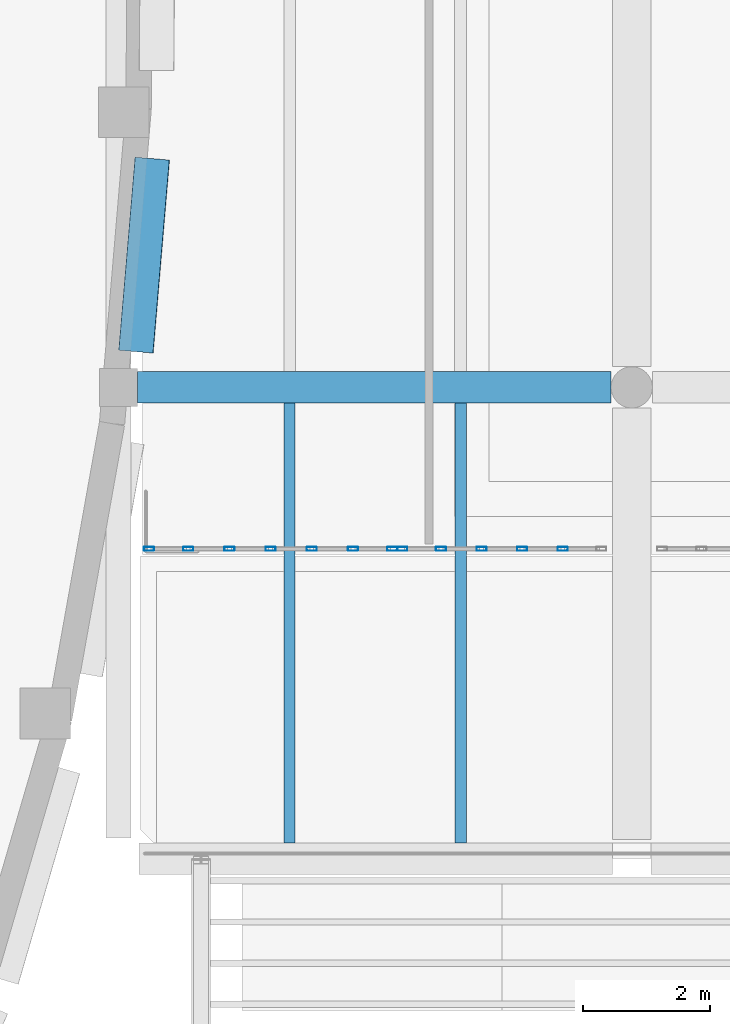
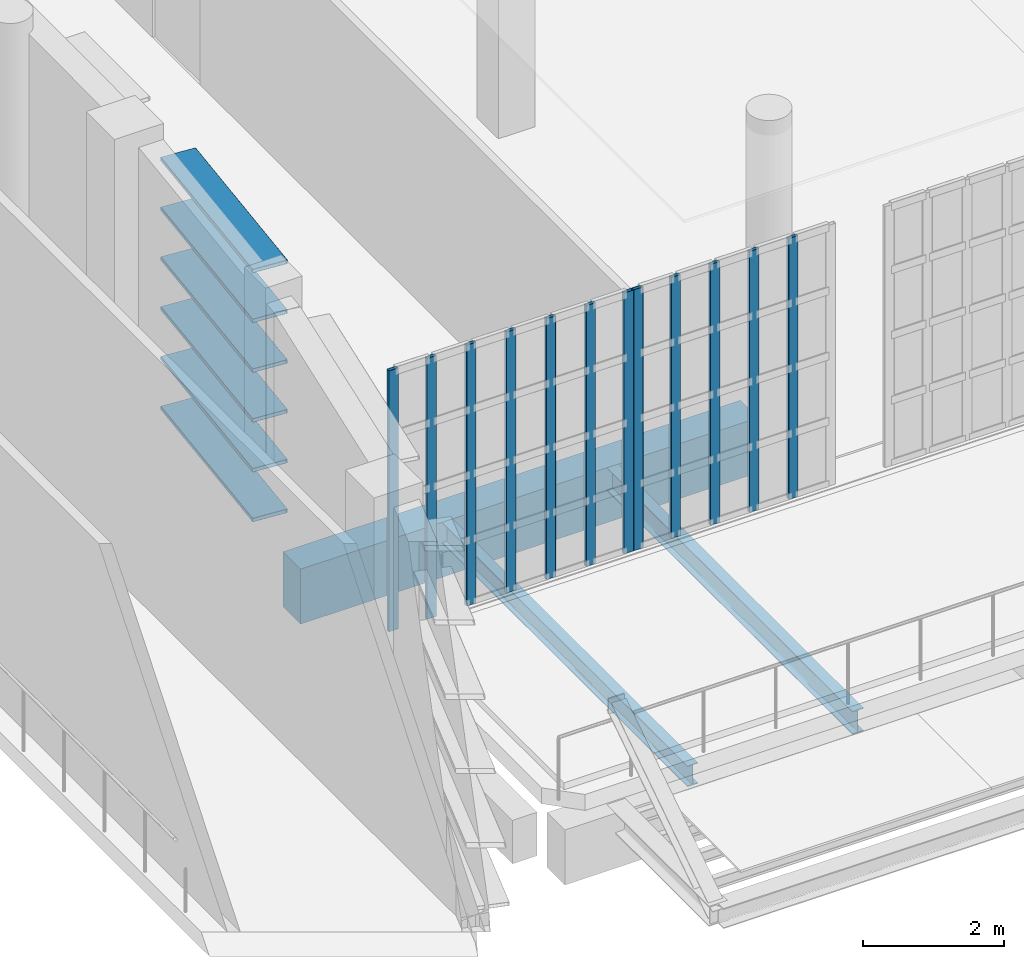
# One storey, part 11 of 104: 18 members, 3 beams, 2 elements without a shape of their own.
"""IFC4 building model written with IfcOpenShell, lengths in metres."""

from ifc_helpers import new_model, si_unit, direction, frame, origin, origin_2d, place, context, subcontext, project, spatial, rectangle, hollow_rectangle, i_section, extrude, material, material_profile, profile_set, type_object, element, aggregate, save


model = new_model("IFC4")

# Units and contexts
model_context = context("Model", 3, precision=1e-05, world=origin(), true_north=direction((0.0, 1.0)))
body_context = subcontext(model_context, "Body", "Model", "MODEL_VIEW")
ifc_project = project(units=[si_unit("LENGTHUNIT", "METRE"), si_unit("AREAUNIT", "SQUARE_METRE"), si_unit("VOLUMEUNIT", "CUBIC_METRE"), si_unit("PLANEANGLEUNIT", "RADIAN"), si_unit("MASSUNIT", "GRAM", prefix="KILO")], contexts=[model_context])

# Site, building, storey
site_placement = place(None, origin())
site = spatial("IfcSite", under=ifc_project, at=site_placement, CompositionType="ELEMENT")
building_placement = place(site_placement, origin())
building = spatial("IfcBuilding", under=site, at=building_placement, Name="Kaelora Sail Theatre", CompositionType="ELEMENT")
storey_placement = place(building_placement, frame((0.0, 0.0, 5.39990234375)))
storey = spatial("IfcBuildingStorey", under=building, at=storey_placement, Name="L01", CompositionType="ELEMENT", Elevation=5.39990234375)

# Members
ifc_material_1 = material(Name="Anodised aluminium 6063-T6", Category="aluminium")
ifc_material_profile_1 = material_profile(ifc_material_1, hollow_rectangle(XDim=0.550048828125, YDim=0.06494140625, WallThickness=0.00390625, InnerFilletRadius=0.00390625, OuterFilletRadius=0.008056640625, at=origin_2d()), Name="LOUVRE 550x65x4")
ifc_profile_set_1 = profile_set([ifc_material_profile_1], Name="Anodised aluminium 6063-T6")
member_type_1 = type_object("IfcMemberType", Name="ARC-MEM-LVR-300", PredefinedType="USERDEFINED", material=ifc_profile_set_1)
for number, where, z_axis, x_axis, name in (
    (1, (58.731201171875, 49.75, 0.150146484375), (-0.084314088497, -0.996439227691, 0.0), (0.996439227691, -0.084314088497, 0.0), "Main Theatre Sail Drum horizontal solar louvre C3-06"),
    (2, (58.731201171875, 49.75, 1.010009765625), (-0.084314088497, -0.996439227691, 0.0), (0.996439227691, -0.084314088497, 0.0), "Main Theatre Sail Drum horizontal solar louvre C3-07"),
    (3, (58.731201171875, 49.75, 1.8701171875), (-0.084314088497, -0.996439227691, 0.0), (0.996439227691, -0.084314088497, 0.0), "Main Theatre Sail Drum horizontal solar louvre C3-08"),
    (4, (58.731201171875, 49.75, 2.72998046875), (-0.084314088497, -0.996439227691, 0.0), (0.996439227691, -0.084314088497, 0.0), "Main Theatre Sail Drum horizontal solar louvre C3-09"),
    (5, (58.731201171875, 49.75, 3.590087890625), (-0.084314088497, -0.996439227691, 0.0), (0.996439227691, -0.084314088497, 0.0), "Main Theatre Sail Drum horizontal solar louvre C3-10"),
    (6, (58.731201171875, 49.75, 4.4501953125), (-0.084314088497, -0.996439227691, 0.0), (0.996439227691, -0.084314088497, 0.0), "Main Theatre Sail Drum horizontal solar louvre C3-11"),
):
    element("IfcMember", number, at=place(storey_placement, frame(where, z_axis=z_axis, x_axis=x_axis)), inside=storey, type_object=member_type_1, Name=name, ObjectType="LOUVRE", PredefinedType="USERDEFINED", context=body_context, shape_type="SweptSolid", body=[
        extrude(hollow_rectangle(XDim=0.550048828125, YDim=0.06494140625, WallThickness=0.00390625, InnerFilletRadius=0.00390625, OuterFilletRadius=0.008056640625, at=origin_2d()), origin(), (0.0, 0.0, 1.0), 3.057861328125),
    ])

# Curtain wall, members
ifc_material_2 = material(Name="Anodised aluminium and solar-control low-E IGU", Category="aluminium")
curtain_wall_type = type_object("IfcCurtainWallType", Name="ARC-CW-CW-FOY2", PredefinedType="NOTDEFINED", material=ifc_material_2)
curtain_wall_1_placement = place(storey_placement, origin())
curtain_wall_1 = element("IfcCurtainWall", 7, at=curtain_wall_1_placement, inside=storey, type_object=curtain_wall_type, Name="West Interstitial Sail Foyer Curtain Wall L01-01", PredefinedType="NOTDEFINED")
ifc_material_3 = material(Name="Anodised aluminium 6063-T6", Category="aluminium")
ifc_material_profile_2 = material_profile(ifc_material_3, hollow_rectangle(XDim=0.06005859375, YDim=0.159912109375, WallThickness=0.00390625, InnerFilletRadius=0.00390625, OuterFilletRadius=0.008056640625, at=origin_2d()), Name="ALU-MULL 60x160x4")
ifc_profile_set_2 = profile_set([ifc_material_profile_2], Name="Anodised aluminium 6063-T6")
member_type_2 = type_object("IfcMemberType", Name="ARC-MEM-ML-160", PredefinedType="MULLION", material=ifc_profile_set_2)
member_1_placement = place(storey_placement, frame((58.679931640625, 43.590087890625, 0.0), z_axis=(0.0, 0.0, 1.0), x_axis=(0.0, 1.0, 0.0)))
member_1 = element("IfcMember", 8, at=member_1_placement, type_object=member_type_2, Name="CW-FOY2 mullion 1", PredefinedType="MULLION", context=body_context, shape_type="SweptSolid", body=[
    extrude(hollow_rectangle(XDim=0.06005859375, YDim=0.159912109375, WallThickness=0.00390625, InnerFilletRadius=0.00390625, OuterFilletRadius=0.008056640625, at=origin_2d()), origin(), (0.0, 0.0, 1.0), 4.505126953125),
])
member_2_placement = place(storey_placement, frame((59.300048828125, 43.590087890625, 0.0), z_axis=(0.0, 0.0, 1.0), x_axis=(0.0, 1.0, 0.0)))
member_2 = element("IfcMember", 9, at=member_2_placement, type_object=member_type_2, Name="CW-FOY2 mullion 2", PredefinedType="MULLION", context=body_context, shape_type="SweptSolid", body=[
    extrude(hollow_rectangle(XDim=0.06005859375, YDim=0.159912109375, WallThickness=0.00390625, InnerFilletRadius=0.00390625, OuterFilletRadius=0.008056640625, at=origin_2d()), origin(), (0.0, 0.0, 1.0), 4.505126953125),
])
member_3_placement = place(storey_placement, frame((59.949951171875, 43.590087890625, 0.0), z_axis=(0.0, 0.0, 1.0), x_axis=(0.0, 1.0, 0.0)))
member_3 = element("IfcMember", 10, at=member_3_placement, type_object=member_type_2, Name="CW-FOY2 mullion 3", PredefinedType="MULLION", context=body_context, shape_type="SweptSolid", body=[
    extrude(hollow_rectangle(XDim=0.06005859375, YDim=0.159912109375, WallThickness=0.00390625, InnerFilletRadius=0.00390625, OuterFilletRadius=0.008056640625, at=origin_2d()), origin(), (0.0, 0.0, 1.0), 4.505126953125),
])
member_4_placement = place(storey_placement, frame((60.60009765625, 43.590087890625, 0.0), z_axis=(0.0, 0.0, 1.0), x_axis=(0.0, 1.0, 0.0)))
member_4 = element("IfcMember", 11, at=member_4_placement, type_object=member_type_2, Name="CW-FOY2 mullion 4", PredefinedType="MULLION", context=body_context, shape_type="SweptSolid", body=[
    extrude(hollow_rectangle(XDim=0.06005859375, YDim=0.159912109375, WallThickness=0.00390625, InnerFilletRadius=0.00390625, OuterFilletRadius=0.008056640625, at=origin_2d()), origin(), (0.0, 0.0, 1.0), 4.505126953125),
])
member_5_placement = place(storey_placement, frame((61.25, 43.590087890625, 0.0), z_axis=(0.0, 0.0, 1.0), x_axis=(0.0, 1.0, 0.0)))
member_5 = element("IfcMember", 12, at=member_5_placement, type_object=member_type_2, Name="CW-FOY2 mullion 5", PredefinedType="MULLION", context=body_context, shape_type="SweptSolid", body=[
    extrude(hollow_rectangle(XDim=0.06005859375, YDim=0.159912109375, WallThickness=0.00390625, InnerFilletRadius=0.00390625, OuterFilletRadius=0.008056640625, at=origin_2d()), origin(), (0.0, 0.0, 1.0), 4.505126953125),
])
member_6_placement = place(storey_placement, frame((61.89990234375, 43.590087890625, 0.0), z_axis=(0.0, 0.0, 1.0), x_axis=(0.0, 1.0, 0.0)))
member_6 = element("IfcMember", 13, at=member_6_placement, type_object=member_type_2, Name="CW-FOY2 mullion 6", PredefinedType="MULLION", context=body_context, shape_type="SweptSolid", body=[
    extrude(hollow_rectangle(XDim=0.06005859375, YDim=0.159912109375, WallThickness=0.00390625, InnerFilletRadius=0.00390625, OuterFilletRadius=0.008056640625, at=origin_2d()), origin(), (0.0, 0.0, 1.0), 4.505126953125),
])
member_7_placement = place(storey_placement, frame((62.52001953125, 43.590087890625, 0.0), z_axis=(0.0, 0.0, 1.0), x_axis=(0.0, 1.0, 0.0)))
member_7 = element("IfcMember", 14, at=member_7_placement, type_object=member_type_2, Name="CW-FOY2 mullion 7", PredefinedType="MULLION", context=body_context, shape_type="SweptSolid", body=[
    extrude(hollow_rectangle(XDim=0.06005859375, YDim=0.159912109375, WallThickness=0.00390625, InnerFilletRadius=0.00390625, OuterFilletRadius=0.008056640625, at=origin_2d()), origin(), (0.0, 0.0, 1.0), 4.505126953125),
])
aggregate(curtain_wall_1, [member_1, member_2, member_3, member_4, member_5, member_6, member_7])

curtain_wall_2_placement = place(storey_placement, origin())
curtain_wall_2 = element("IfcCurtainWall", 15, at=curtain_wall_2_placement, inside=storey, type_object=curtain_wall_type, Name="West Interstitial Sail Foyer Curtain Wall L01-02", PredefinedType="NOTDEFINED")
member_8_placement = place(storey_placement, frame((62.679931640625, 43.590087890625, 0.0), z_axis=(0.0, 0.0, 1.0), x_axis=(0.0, 1.0, 0.0)))
member_8 = element("IfcMember", 16, at=member_8_placement, type_object=member_type_2, Name="CW-FOY2 mullion 1", PredefinedType="MULLION", context=body_context, shape_type="SweptSolid", body=[
    extrude(hollow_rectangle(XDim=0.06005859375, YDim=0.159912109375, WallThickness=0.00390625, InnerFilletRadius=0.00390625, OuterFilletRadius=0.008056640625, at=origin_2d()), origin(), (0.0, 0.0, 1.0), 4.505126953125),
])
member_9_placement = place(storey_placement, frame((63.2900390625, 43.590087890625, 0.0), z_axis=(0.0, 0.0, 1.0), x_axis=(0.0, 1.0, 0.0)))
member_9 = element("IfcMember", 17, at=member_9_placement, type_object=member_type_2, Name="CW-FOY2 mullion 2", PredefinedType="MULLION", context=body_context, shape_type="SweptSolid", body=[
    extrude(hollow_rectangle(XDim=0.06005859375, YDim=0.159912109375, WallThickness=0.00390625, InnerFilletRadius=0.00390625, OuterFilletRadius=0.008056640625, at=origin_2d()), origin(), (0.0, 0.0, 1.0), 4.505126953125),
])
member_10_placement = place(storey_placement, frame((63.929931640625, 43.590087890625, 0.0), z_axis=(0.0, 0.0, 1.0), x_axis=(0.0, 1.0, 0.0)))
member_10 = element("IfcMember", 18, at=member_10_placement, type_object=member_type_2, Name="CW-FOY2 mullion 3", PredefinedType="MULLION", context=body_context, shape_type="SweptSolid", body=[
    extrude(hollow_rectangle(XDim=0.06005859375, YDim=0.159912109375, WallThickness=0.00390625, InnerFilletRadius=0.00390625, OuterFilletRadius=0.008056640625, at=origin_2d()), origin(), (0.0, 0.0, 1.0), 4.505126953125),
])
member_11_placement = place(storey_placement, frame((64.570068359375, 43.590087890625, 0.0), z_axis=(0.0, 0.0, 1.0), x_axis=(0.0, 1.0, 0.0)))
member_11 = element("IfcMember", 19, at=member_11_placement, type_object=member_type_2, Name="CW-FOY2 mullion 4", PredefinedType="MULLION", context=body_context, shape_type="SweptSolid", body=[
    extrude(hollow_rectangle(XDim=0.06005859375, YDim=0.159912109375, WallThickness=0.00390625, InnerFilletRadius=0.00390625, OuterFilletRadius=0.008056640625, at=origin_2d()), origin(), (0.0, 0.0, 1.0), 4.505126953125),
])
member_12_placement = place(storey_placement, frame((65.2099609375, 43.590087890625, 0.0), z_axis=(0.0, 0.0, 1.0), x_axis=(0.0, 1.0, 0.0)))
member_12 = element("IfcMember", 20, at=member_12_placement, type_object=member_type_2, Name="CW-FOY2 mullion 5", PredefinedType="MULLION", context=body_context, shape_type="SweptSolid", body=[
    extrude(hollow_rectangle(XDim=0.06005859375, YDim=0.159912109375, WallThickness=0.00390625, InnerFilletRadius=0.00390625, OuterFilletRadius=0.008056640625, at=origin_2d()), origin(), (0.0, 0.0, 1.0), 4.505126953125),
])
aggregate(curtain_wall_2, [member_8, member_9, member_10, member_11, member_12])

# Beams
ifc_material_4 = material(Name="Concrete C45/55", Category="concrete")
ifc_material_profile_3 = material_profile(ifc_material_4, rectangle(XDim=0.5, YDim=0.949951171875, at=origin_2d()), Name="RC-GRD 500x950")
ifc_profile_set_3 = profile_set([ifc_material_profile_3], Name="Concrete C45/55")
beam_type_1 = type_object("IfcBeamType", Name="STR-BM-GR-RC5095", PredefinedType="T_BEAM", material=ifc_profile_set_3)
beam_1_placement = place(storey_placement, frame((58.5, 46.139892578125, -0.77001953125), z_axis=(1.0, 0.0, 0.0), x_axis=(0.0, 1.0, 0.0)))
element("IfcBeam", 21, at=beam_1_placement, inside=storey, type_object=beam_type_1, Name="Primary beam G 8-9 (L01)", PredefinedType="T_BEAM", context=body_context, shape_type="SweptSolid", body=[
    extrude(rectangle(XDim=0.5, YDim=0.949951171875, at=origin_2d()), origin(), (0.0, 0.0, 1.0), 7.47509765625),
])
ifc_material_5 = material(Name="Steel S355", Category="steel")
ifc_material_profile_4 = material_profile(ifc_material_5, i_section(OverallWidth=0.169921875, OverallDepth=0.360107421875, WebThickness=0.008056640625, FlangeThickness=0.0126953125, FilletRadius=0.01806640625, at=origin_2d()), Name="IPE 360")
ifc_profile_set_4 = profile_set([ifc_material_profile_4], Name="Steel S355")
beam_type_2 = type_object("IfcBeamType", Name="STR-BM-JS-IPE360", PredefinedType="JOIST", material=ifc_profile_set_4)
beam_2_placement = place(storey_placement, frame((60.89990234375, 38.949951171875, -0.474853515625), z_axis=(0.0, 1.0, 0.0), x_axis=(-1.0, 0.0, 0.0)))
element("IfcBeam", 22, at=beam_2_placement, inside=storey, type_object=beam_type_2, Name="Secondary floor joist 8/F-1 (L01)", PredefinedType="JOIST", context=body_context, shape_type="SweptSolid", body=[
    extrude(i_section(OverallWidth=0.169921875, OverallDepth=0.360107421875, WebThickness=0.008056640625, FlangeThickness=0.0126953125, FilletRadius=0.01806640625, at=origin_2d()), origin(), (0.0, 0.0, 1.0), 6.93994140625),
])
ifc_material_6 = material(Name="Steel S355", Category="steel")
ifc_material_profile_5 = material_profile(ifc_material_6, i_section(OverallWidth=0.179931640625, OverallDepth=0.39990234375, WebThickness=0.008544921875, FlangeThickness=0.013427734375, FilletRadius=0.02099609375, at=origin_2d()), Name="IPE 400")
ifc_profile_set_5 = profile_set([ifc_material_profile_5], Name="Steel S355")
beam_type_3 = type_object("IfcBeamType", Name="STR-BM-JS-IPE400", PredefinedType="JOIST", material=ifc_profile_set_5)
beam_3_placement = place(storey_placement, frame((63.60009765625, 38.949951171875, -0.494873046875), z_axis=(0.0, 1.0, 0.0), x_axis=(-1.0, 0.0, 0.0)))
element("IfcBeam", 23, at=beam_3_placement, inside=storey, type_object=beam_type_3, Name="Secondary floor joist 8/F-2 (L01)", PredefinedType="JOIST", context=body_context, shape_type="SweptSolid", body=[
    extrude(i_section(OverallWidth=0.179931640625, OverallDepth=0.39990234375, WebThickness=0.008544921875, FlangeThickness=0.013427734375, FilletRadius=0.02099609375, at=origin_2d()), origin(), (0.0, 0.0, 1.0), 6.93994140625),
])

save(model, "model.ifc")
